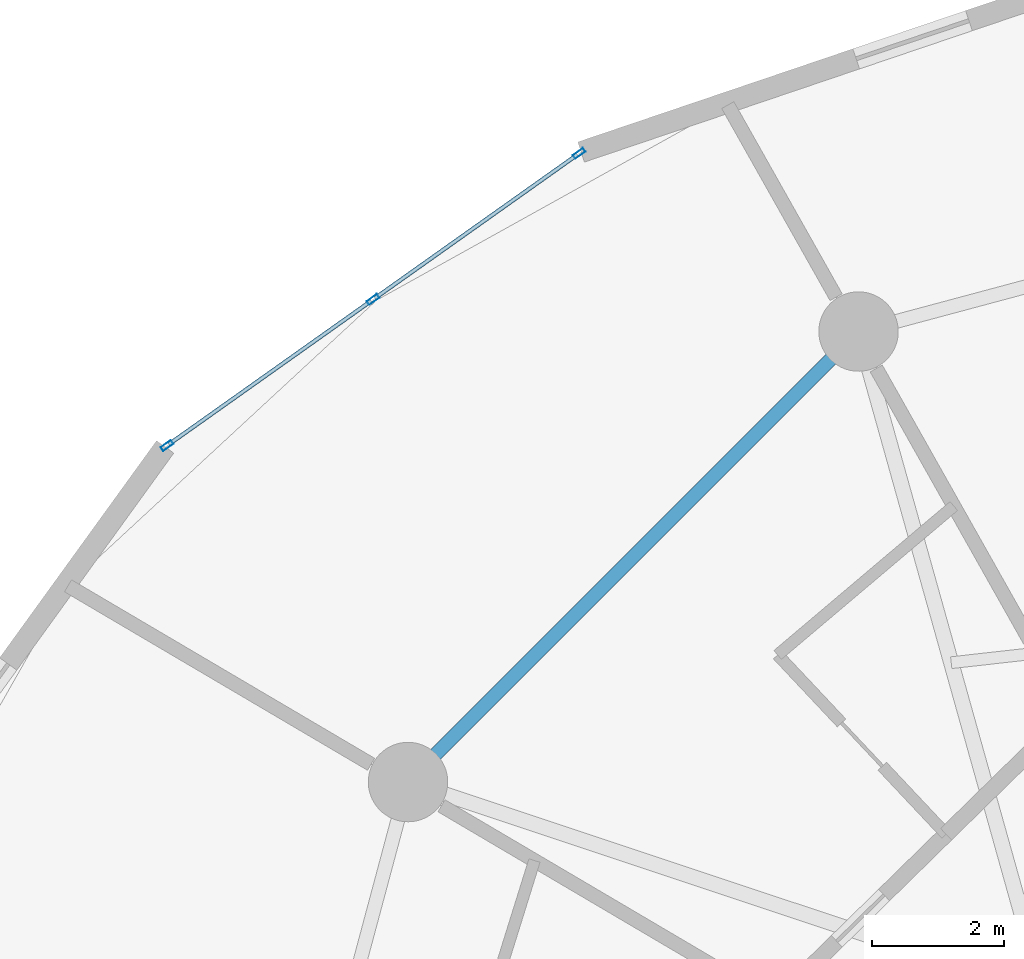
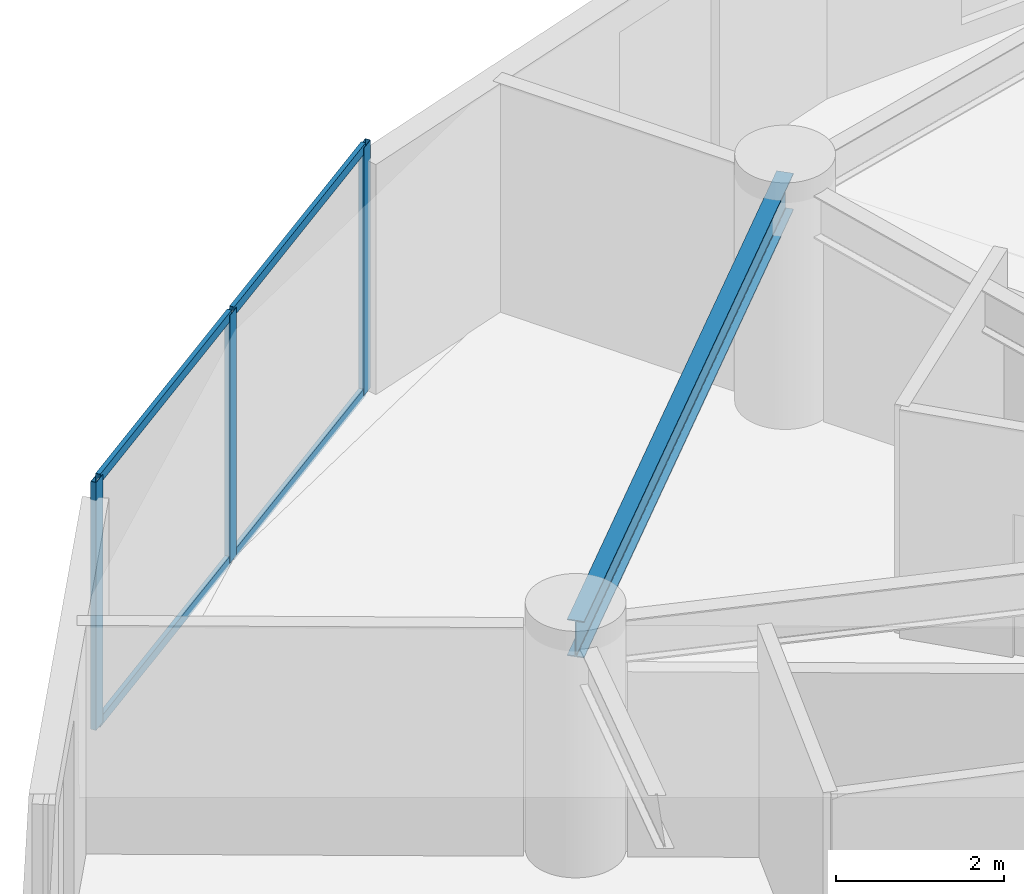
# One storey, part 13 of 26: 7 members, 1 beam, 1 element without a shape of its own.
"""IFC4 building model written with IfcOpenShell, lengths in metres."""

import ifcopenshell
import ifcopenshell.guid

model = None  # the IFC model being written
_history = None  # IfcOwnerHistory: only IFC2X3 demands one
_inside = {}  # id of a spatial element -> (the spatial element, [elements in it])
_under = {}  # id of a project, library or spatial element -> (it, [spatial elements below it])
_declared = {}  # id of a project -> (the project, [libraries it declares])
_typed = {}  # id of a type object -> (the type object, [elements of that type])
_made_of = {}  # id of a material, layer set ... -> (it, [elements and type objects made of it])


def new_model(schema):
    """Start an empty IFC model of exactly this schema.

    Asked for "IFC4X3", IfcOpenShell would pick the latest addendum, in which some entities
    have other attributes; the version numbers below select the first issue.
    IFC2X3 requires an IfcOwnerHistory on every rooted entity: one is made here for all.
    """
    global model, _history
    if schema == "IFC4X3":
        model = ifcopenshell.file(schema_version=(4, 3, 0, 0))
    else:
        model = ifcopenshell.file(schema=schema)
    _inside.clear()
    _under.clear()
    _declared.clear()
    _typed.clear()
    _made_of.clear()
    _history = None
    if model.schema == "IFC2X3":
        org = make("IfcOrganization", Name="unknown")
        user = make(
            "IfcPersonAndOrganization",
            ThePerson=make("IfcPerson", FamilyName="unknown"),
            TheOrganization=org,
        )
        app = make(
            "IfcApplication",
            ApplicationDeveloper=org,
            Version="unknown",
            ApplicationFullName="unknown",
            ApplicationIdentifier="unknown",
        )
        _history = make(
            "IfcOwnerHistory",
            OwningUser=user,
            OwningApplication=app,
            ChangeAction="ADDED",
            CreationDate=0,
        )
    return model


def make(cls, **values):
    """One entity of the class cls with the attributes given. An attribute that is None is left unset."""
    return model.create_entity(
        cls, **{name: value for name, value in values.items() if value is not None}
    )


def rooted(cls, **values):
    """An entity with a GlobalId (a new one), such as an element, a storey or a relation."""
    return make(cls, GlobalId=ifcopenshell.guid.new(), OwnerHistory=_history, **values)


def si_unit(unit_type, name, prefix=None):
    """IfcSIUnit, for example si_unit("LENGTHUNIT", "METRE", prefix="MILLI")."""
    return make("IfcSIUnit", UnitType=unit_type, Prefix=prefix, Name=name)


def assignment(units):
    """IfcUnitAssignment: the units of a project."""
    return None if units is None else make("IfcUnitAssignment", Units=units)


def point(xyz):
    """IfcCartesianPoint."""
    return None if xyz is None else make("IfcCartesianPoint", Coordinates=xyz)


def direction(xyz):
    """IfcDirection."""
    return None if xyz is None else make("IfcDirection", DirectionRatios=xyz)


def frame(location, z_axis=None, x_axis=None):
    """IfcAxis2Placement3D, a coordinate frame: its origin and axes. An axis left out is left unset."""
    return make(
        "IfcAxis2Placement3D",
        Location=point(location),
        Axis=direction(z_axis),
        RefDirection=direction(x_axis),
    )


def frame_2d(location, x_axis=None):
    """IfcAxis2Placement2D, a coordinate frame in the plane: its origin and x axis."""
    return make(
        "IfcAxis2Placement2D", Location=point(location), RefDirection=direction(x_axis)
    )


def origin():
    """The frame at (0, 0, 0) with its axes left unset."""
    return frame((0.0, 0.0, 0.0))


def origin_2d():
    """The frame at (0, 0) in the plane with its x axis left unset."""
    return frame_2d((0.0, 0.0))


def place(relative_to, where):
    """IfcLocalPlacement: puts the frame where relative to a parent placement (None: the world)."""
    return make(
        "IfcLocalPlacement", PlacementRelTo=relative_to, RelativePlacement=where
    )


def context(
    kind, dimensions, precision=None, world=None, true_north=None, identifier=None
):
    """IfcGeometricRepresentationContext, for example the 3D "Model" context."""
    return make(
        "IfcGeometricRepresentationContext",
        ContextIdentifier=identifier,
        ContextType=kind,
        CoordinateSpaceDimension=dimensions,
        Precision=precision,
        WorldCoordinateSystem=world,
        TrueNorth=true_north,
    )


def subcontext(parent, identifier, kind, view, scale=None):
    """IfcGeometricRepresentationSubContext, for example "Body" below "Model"."""
    return make(
        "IfcGeometricRepresentationSubContext",
        ContextIdentifier=identifier,
        ContextType=kind,
        ParentContext=parent,
        TargetScale=scale,
        TargetView=view,
    )


def project(units=None, contexts=None):
    """IfcProject with its units and contexts."""
    return rooted(
        "IfcProject",
        Name="project",
        RepresentationContexts=contexts,
        UnitsInContext=assignment(units),
    )


def spatial(cls, under=None, at=None, **own):
    """A site, building, storey or space (cls), placed at a placement, below another one or the project."""
    s = rooted(cls, ObjectPlacement=at, **own)
    if under is not None:
        _under.setdefault(under.id(), (under, []))[1].append(s)
    return s


def profile(cls, at=None, kind="AREA", **sizes):
    """A parametric profile (cls). Its sizes go by their IFC names, for example OverallWidth=200.0."""
    return make(cls, ProfileType=kind, Position=at, **sizes)


def hollow_rectangle(**sizes):
    """IfcRectangleHollowProfileDef."""
    return profile("IfcRectangleHollowProfileDef", **sizes)


def i_section(**sizes):
    """IfcIShapeProfileDef."""
    return profile("IfcIShapeProfileDef", **sizes)


def extrude(swept, where, along, depth):
    """IfcExtrudedAreaSolid: the profile swept, set in the frame where, extruded along a direction by depth."""
    return make(
        "IfcExtrudedAreaSolid",
        SweptArea=swept,
        Position=where,
        ExtrudedDirection=direction(along),
        Depth=depth,
    )


def shape(context_of_items, identifier, shape_type, items):
    """IfcShapeRepresentation: the items that make up one representation, for example the "Body"."""
    return make(
        "IfcShapeRepresentation",
        ContextOfItems=context_of_items,
        RepresentationIdentifier=identifier,
        RepresentationType=shape_type,
        Items=items,
    )


def source(mapping_origin, context_of_items, identifier, shape_type, items):
    """IfcRepresentationMap: a shape defined once, which mapped items show again and again."""
    return make(
        "IfcRepresentationMap",
        MappingOrigin=mapping_origin,
        MappedRepresentation=shape(context_of_items, identifier, shape_type, items),
    )


def transform(
    local_origin,
    x_axis=None,
    y_axis=None,
    z_axis=None,
    scale=None,
    scale2=None,
    scale3=None,
    uniform=True,
):
    """IfcCartesianTransformationOperator3D, or its non-uniform kind. x_axis, y_axis, z_axis: its Axis1, 2, 3."""
    if uniform:
        return make(
            "IfcCartesianTransformationOperator3D",
            Axis1=direction(x_axis),
            Axis2=direction(y_axis),
            LocalOrigin=point(local_origin),
            Scale=scale,
            Axis3=direction(z_axis),
        )
    return make(
        "IfcCartesianTransformationOperator3DnonUniform",
        Axis1=direction(x_axis),
        Axis2=direction(y_axis),
        LocalOrigin=point(local_origin),
        Scale=scale,
        Axis3=direction(z_axis),
        Scale2=scale2,
        Scale3=scale3,
    )


def mapped(mapping_source, mapping_target):
    """IfcMappedItem: shows the shape of a source again, moved by a transform."""
    return make(
        "IfcMappedItem", MappingSource=mapping_source, MappingTarget=mapping_target
    )


def material(Name=None, Category=None):
    """IfcMaterial."""
    return make("IfcMaterial", Name=Name, Category=Category)


def layer(
    of_material, thickness, ventilated=None, Name=None, Category=None, Priority=None
):
    """IfcMaterialLayer: one layer of a wall or slab, of a material (None: an air gap)."""
    return make(
        "IfcMaterialLayer",
        Material=of_material,
        LayerThickness=thickness,
        IsVentilated=ventilated,
        Name=Name,
        Category=Category,
        Priority=Priority,
    )


def layer_set(layers, Name=None):
    """IfcMaterialLayerSet."""
    return make("IfcMaterialLayerSet", MaterialLayers=layers, LayerSetName=Name)


def material_profile(
    of_material, cross_section, Name=None, Category=None, Priority=None
):
    """IfcMaterialProfile: a cross section and its material."""
    return make(
        "IfcMaterialProfile",
        Name=Name,
        Material=of_material,
        Profile=cross_section,
        Priority=Priority,
        Category=Category,
    )


def profile_set(profiles, Name=None, composite=None):
    """IfcMaterialProfileSet."""
    return make(
        "IfcMaterialProfileSet",
        Name=Name,
        MaterialProfiles=profiles,
        CompositeProfile=composite,
    )


def made_of(thing, what):
    """Note that an element or type object is made of a material, layer set ...; save() writes the relation."""
    if what is not None:
        _made_of.setdefault(what.id(), (what, []))[1].append(thing)
    return thing


def type_object(cls, material=None, **own):
    """A type object (cls), such as IfcWallType, which elements share."""
    return made_of(rooted(cls, **own), material)


def element(
    cls,
    number,
    at=None,
    inside=None,
    cuts=None,
    type_object=None,
    material=None,
    context=None,
    identifier="Body",
    shape_type=None,
    held_by="IfcProductDefinitionShape",
    body=None,
    shapes=None,
    **own,
):
    """One element of the class cls, such as IfcWall. Its Tag is "e" and its number.

    at: its placement. inside: the storey or other place that contains it. cuts: it is an
    opening in that element (IfcRelVoidsElement). A single representation is given by context,
    identifier, shape_type and body (its items); several are given by shapes. held_by: the class
    of the entity that holds the representations. save() writes the other relations.
    """
    e = rooted(cls, Tag="e%d" % number, ObjectPlacement=at, **own)
    if body is not None:
        shapes = [shape(context, identifier, shape_type, body)]
    if shapes is not None:
        e.Representation = make(held_by, Representations=shapes)
    if inside is not None:
        _inside.setdefault(inside.id(), (inside, []))[1].append(e)
    if cuts is not None:
        rooted(
            "IfcRelVoidsElement", RelatingBuildingElement=cuts, RelatedOpeningElement=e
        )
    if type_object is not None:
        _typed.setdefault(type_object.id(), (type_object, []))[1].append(e)
    return made_of(e, material)


def aggregate(whole, parts):
    """IfcRelAggregates: a whole, such as a stair, and the parts it consists of."""
    return rooted("IfcRelAggregates", RelatingObject=whole, RelatedObjects=parts)


def save(model, path):
    """Write the relations noted so far, then the file.

    IfcRelAggregates (storeys below a building ...), IfcRelContainedInSpatialStructure (elements
    in a storey), IfcRelDefinesByType, IfcRelAssociatesMaterial and IfcRelDeclares: one each for
    every whole, place, type object, material and project.
    """
    for whole, parts in _under.values():
        aggregate(whole, parts)
    for where, things in _inside.values():
        rooted(
            "IfcRelContainedInSpatialStructure",
            RelatedElements=things,
            RelatingStructure=where,
        )
    for kind, things in _typed.values():
        rooted("IfcRelDefinesByType", RelatedObjects=things, RelatingType=kind)
    for what, things in _made_of.values():
        rooted("IfcRelAssociatesMaterial", RelatedObjects=things, RelatingMaterial=what)
    for by, libraries in _declared.values():
        rooted("IfcRelDeclares", RelatingContext=by, RelatedDefinitions=libraries)
    model.write(path)


model = new_model("IFC4")

# Units and contexts
model_context = context("Model", 3, precision=1e-05, world=origin(), true_north=direction((0.0, 1.0)))
body_context = subcontext(model_context, "Body", "Model", "MODEL_VIEW")
ifc_project = project(units=[si_unit("LENGTHUNIT", "METRE"), si_unit("AREAUNIT", "SQUARE_METRE"), si_unit("VOLUMEUNIT", "CUBIC_METRE"), si_unit("PLANEANGLEUNIT", "RADIAN"), si_unit("MASSUNIT", "GRAM", prefix="KILO")], contexts=[model_context])

# Site, building, storey
site_placement = place(None, origin())
site = spatial("IfcSite", under=ifc_project, at=site_placement, CompositionType="ELEMENT")
building_placement = place(site_placement, origin())
building = spatial("IfcBuilding", under=site, at=building_placement, Name="Solvirekh Grand Hotel", CompositionType="ELEMENT")
storey_placement = place(building_placement, frame((0.0, 0.0, 35.60009765625)))
storey = spatial("IfcBuildingStorey", under=building, at=storey_placement, Name="L07", CompositionType="ELEMENT", Elevation=35.60009765625)

# Beam
ifc_material_1 = material(Name="Steel S355", Category="steel")
ifc_material_profile_1 = material_profile(ifc_material_1, i_section(OverallWidth=0.208984375, OverallDepth=0.532958984375, WebThickness=0.010009765625, FlangeThickness=0.014892578125, FilletRadius=0.013916015625, at=origin_2d()), Name="W530X92")
ifc_profile_set_1 = profile_set([ifc_material_profile_1], Name="Steel S355")
beam_type = type_object("IfcBeamType", Name="Spandrel_Ring_W530", PredefinedType="SPANDREL", material=ifc_profile_set_1)
beam_placement = place(storey_placement, frame((-9.300048828125, 16.10791015625, 3.072998046875), z_axis=(-0.707106781187, -0.707106781187, 0.0), x_axis=(0.707106781187, -0.707106781187, 0.0)))
element("IfcBeam", 1, at=beam_placement, inside=storey, type_object=beam_type, Name="L07 perimeter spandrel beam 5", PredefinedType="SPANDREL", context=body_context, shape_type="SweptSolid", body=[
    extrude(i_section(OverallWidth=0.208984375, OverallDepth=0.532958984375, WebThickness=0.010009765625, FlangeThickness=0.014892578125, FilletRadius=0.013916015625, at=origin_2d()), origin(), (0.0, 0.0, 1.0), 9.627685546875),
])

# Curtain wall, members
ifc_material_2 = material(Name="Anodized Bronze Aluminium 6063-T6", Category="aluminium")
ifc_layer = layer(ifc_material_2, 0.18994140625)
ifc_layer_set = layer_set([ifc_layer], Name="Anodized Bronze Aluminium 6063-T6")
curtain_wall_type = type_object("IfcCurtainWallType", Name="CW_Sys2_LowZoneFlushBronzeCW", PredefinedType="NOTDEFINED", material=ifc_layer_set)
curtain_wall_placement = place(storey_placement, origin())
curtain_wall = element("IfcCurtainWall", 2, at=curtain_wall_placement, inside=storey, type_object=curtain_wall_type, Name="L07 unitised bronze-glass curtain wall CW-L07-C08", PredefinedType="NOTDEFINED")
ifc_material_profile_2 = material_profile(ifc_material_2, hollow_rectangle(XDim=0.06005859375, YDim=0.135009765625, WallThickness=0.00390625, at=origin_2d()), Name="ALU RHS 135X60X4")
ifc_profile_set_2 = profile_set([ifc_material_profile_2], Name="Anodized Bronze Aluminium 6063-T6")
member_type_1 = type_object("IfcMemberType", Name="CWTransom_Sys2", PredefinedType="USERDEFINED", material=ifc_profile_set_2)
shared_shape_1 = source(origin(), body_context, "Body", "SweptSolid", [
    extrude(hollow_rectangle(XDim=0.06005859375, YDim=0.135009765625, WallThickness=0.00390625, at=origin_2d()), origin(), (0.0, 0.0, 1.0), 3.747314453125),
])
member_1_placement = place(storey_placement, frame((-13.550048828125, 18.780517578125, 0.02978515625), z_axis=(-0.815779839774, -0.57836256191, 0.0), x_axis=(0.57836256191, -0.815779839774, 0.0)))
member_1 = element("IfcMember", 3, at=member_1_placement, type_object=member_type_1, Name="U02 transom 1.1", ObjectType="TRANSOM", PredefinedType="USERDEFINED", context=body_context, shape_type="MappedRepresentation", body=[
    mapped(shared_shape_1, transform((0.0, 0.0, 0.0), x_axis=(1.0, 0.0, 0.0), y_axis=(0.0, 1.0, 0.0), z_axis=(0.0, 0.0, 1.0), scale=1.0)),
])
member_2_placement = place(storey_placement, frame((-13.550048828125, 18.780517578125, 3.56982421875), z_axis=(-0.815779839774, -0.57836256191, 0.0), x_axis=(0.57836256191, -0.815779839774, 0.0)))
member_2 = element("IfcMember", 4, at=member_2_placement, type_object=member_type_1, Name="U02 transom 1.2", ObjectType="TRANSOM", PredefinedType="USERDEFINED", context=body_context, shape_type="MappedRepresentation", body=[
    mapped(shared_shape_1, transform((0.0, 0.0, 0.0), x_axis=(1.0, 0.0, 0.0), y_axis=(0.0, 1.0, 0.0), z_axis=(0.0, 0.0, 1.0), scale=1.0)),
])
member_3_placement = place(storey_placement, frame((-16.6640625, 16.57275390625, 0.02978515625), z_axis=(-0.815779839774, -0.57836256191, 0.0), x_axis=(0.57836256191, -0.815779839774, 0.0)))
member_3 = element("IfcMember", 5, at=member_3_placement, type_object=member_type_1, Name="U02 transom 2.1", ObjectType="TRANSOM", PredefinedType="USERDEFINED", context=body_context, shape_type="MappedRepresentation", body=[
    mapped(shared_shape_1, transform((0.0, 0.0, 0.0), x_axis=(1.0, 0.0, 0.0), y_axis=(0.0, 1.0, 0.0), z_axis=(0.0, 0.0, 1.0), scale=1.0)),
])
member_4_placement = place(storey_placement, frame((-16.6640625, 16.57275390625, 3.56982421875), z_axis=(-0.815779839774, -0.57836256191, 0.0), x_axis=(0.57836256191, -0.815779839774, 0.0)))
member_4 = element("IfcMember", 6, at=member_4_placement, type_object=member_type_1, Name="U02 transom 2.2", ObjectType="TRANSOM", PredefinedType="USERDEFINED", context=body_context, shape_type="MappedRepresentation", body=[
    mapped(shared_shape_1, transform((0.0, 0.0, 0.0), x_axis=(1.0, 0.0, 0.0), y_axis=(0.0, 1.0, 0.0), z_axis=(0.0, 0.0, 1.0), scale=1.0)),
])
ifc_material_profile_3 = material_profile(ifc_material_2, hollow_rectangle(XDim=0.070068359375, YDim=0.18994140625, WallThickness=0.0048828125, at=origin_2d()), Name="ALU RHS 190X70X5")
ifc_profile_set_3 = profile_set([ifc_material_profile_3], Name="Anodized Bronze Aluminium 6063-T6")
member_type_2 = type_object("IfcMemberType", Name="CWMullion_Sys2", PredefinedType="MULLION", material=ifc_profile_set_3)
shared_shape_2 = source(origin(), body_context, "Body", "SweptSolid", [
    extrude(hollow_rectangle(XDim=0.070068359375, YDim=0.18994140625, WallThickness=0.0048828125, at=origin_2d()), origin(), (0.0, 0.0, 1.0), 3.599853515625),
])
member_5_placement = place(storey_placement, frame((-13.521484375, 18.80078125, 0.0), z_axis=(0.0, 0.0, 1.0), x_axis=(0.578373813708, -0.815771862482, 0.0)))
member_5 = element("IfcMember", 7, at=member_5_placement, type_object=member_type_2, Name="U02 mullion 1", PredefinedType="MULLION", context=body_context, shape_type="MappedRepresentation", body=[
    mapped(shared_shape_2, transform((0.0, 0.0, 0.0), x_axis=(1.0, 0.0, 0.0), y_axis=(0.0, 1.0, 0.0), z_axis=(0.0, 0.0, 1.0), scale=1.0)),
])
member_6_placement = place(storey_placement, frame((-16.635498046875, 16.593017578125, 0.0), z_axis=(0.0, 0.0, 1.0), x_axis=(0.578373813708, -0.815771862482, 0.0)))
member_6 = element("IfcMember", 8, at=member_6_placement, type_object=member_type_2, Name="U02 mullion 2", PredefinedType="MULLION", context=body_context, shape_type="MappedRepresentation", body=[
    mapped(shared_shape_2, transform((0.0, 0.0, 0.0), x_axis=(1.0, 0.0, 0.0), y_axis=(0.0, 1.0, 0.0), z_axis=(0.0, 0.0, 1.0), scale=1.0)),
])
member_7_placement = place(storey_placement, frame((-19.74951171875, 14.38525390625, 0.0), z_axis=(0.0, 0.0, 1.0), x_axis=(0.578373813708, -0.815771862482, 0.0)))
member_7 = element("IfcMember", 9, at=member_7_placement, type_object=member_type_2, Name="U02 mullion 3", PredefinedType="MULLION", context=body_context, shape_type="MappedRepresentation", body=[
    mapped(shared_shape_2, transform((0.0, 0.0, 0.0), x_axis=(1.0, 0.0, 0.0), y_axis=(0.0, 1.0, 0.0), z_axis=(0.0, 0.0, 1.0), scale=1.0)),
])
aggregate(curtain_wall, [member_5, member_6, member_7, member_1, member_2, member_3, member_4])

save(model, "model.ifc")
